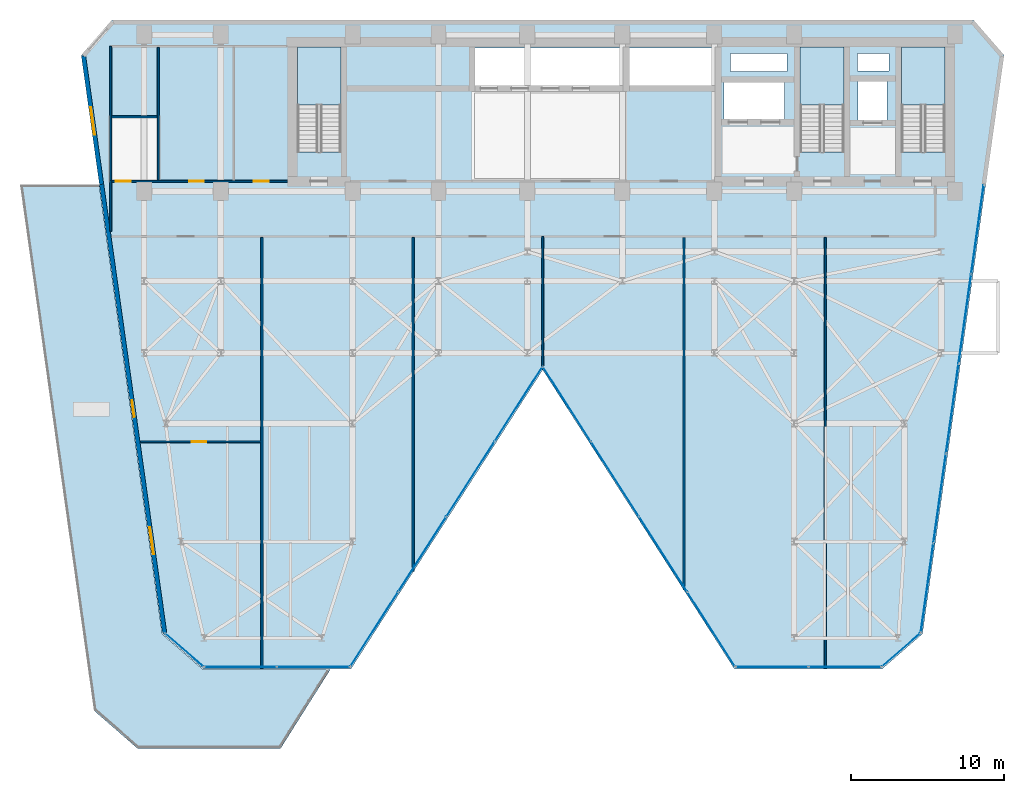
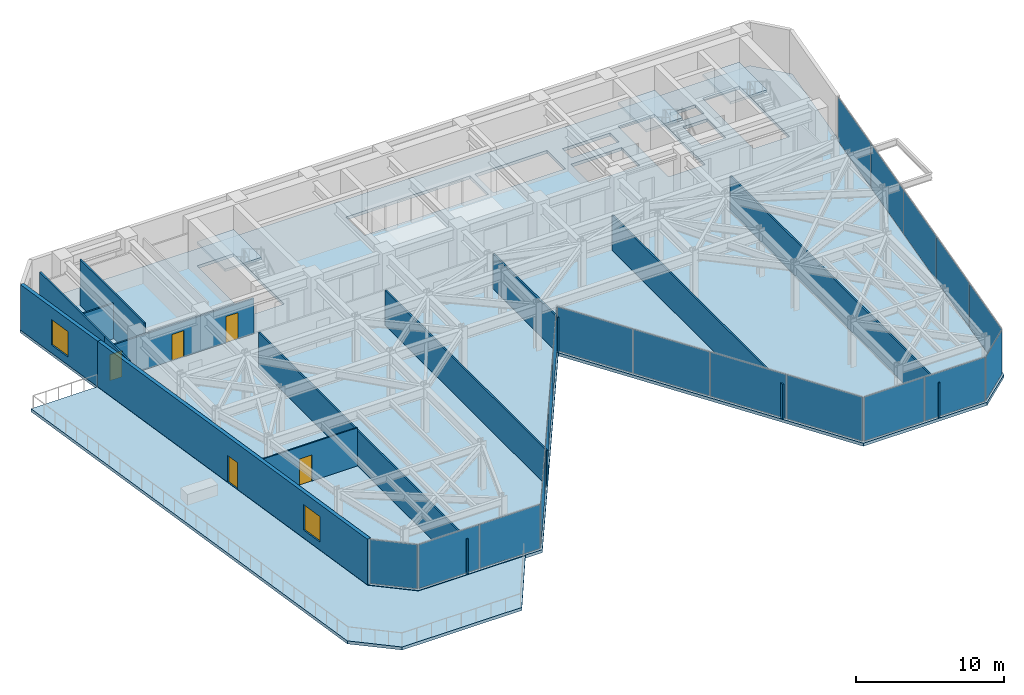
# One storey, part 19 of 24: 19 plates, 13 walls, 5 doors, 5 slabs, 2 windows, 7 openings, 10 elements without a shape of their own.
"""IFC4 building model written with IfcOpenShell, lengths in metres."""

from ifc_helpers import new_model, si_unit, direction, frame, frame_2d, origin, origin_2d, place, context, subcontext, project, spatial, polyline, rectangle, outline, extrude, material, layer, layer_set, type_object, element, fill, aggregate, save


model = new_model("IFC4")

# Units and contexts
model_context = context("Model", 3, precision=1e-05, world=origin(), true_north=direction((0.0, 1.0)))
body_context = subcontext(model_context, "Body", "Model", "MODEL_VIEW")
ifc_project = project(units=[si_unit("LENGTHUNIT", "METRE"), si_unit("AREAUNIT", "SQUARE_METRE"), si_unit("VOLUMEUNIT", "CUBIC_METRE"), si_unit("PLANEANGLEUNIT", "RADIAN"), si_unit("MASSUNIT", "GRAM", prefix="KILO")], contexts=[model_context])

# Site, building, storey
site_placement = place(None, origin())
site = spatial("IfcSite", under=ifc_project, at=site_placement, CompositionType="ELEMENT")
building_placement = place(site_placement, origin())
building = spatial("IfcBuilding", under=site, at=building_placement, Name="Kravanh Interchange Tower", CompositionType="ELEMENT")
storey_placement = place(building_placement, frame((0.0, 0.0, 96.0)))
storey = spatial("IfcBuildingStorey", under=building, at=storey_placement, Name="L22", CompositionType="ELEMENT", Elevation=96.0)

# Slab
ifc_material_1 = material(Name="Concrete C50/60", Category="concrete")
ifc_layer_1 = layer(ifc_material_1, 0.25)
ifc_layer_set_1 = layer_set([ifc_layer_1], Name="Composite Floor Slab Concrete C50/60 250mm")
slab_type_1 = type_object("IfcSlabType", Name="Composite Floor Slab Concrete C50/60 250mm", PredefinedType="FLOOR", material=ifc_layer_set_1)
slab_1_placement = place(storey_placement, frame((0.0, 0.0, -0.25)))
element("IfcSlab", 1, at=slab_1_placement, inside=storey, type_object=slab_type_1, Name="L22 Structural Floor Slab", PredefinedType="FLOOR", context=body_context, shape_type="SweptSolid", body=[
    extrude(outline(polyline([(14.82470703125, 8.4775390625), (17.44482421875, 6.199951171875), (27.10009765625, 6.199951171875), (39.60009765625, 25.699951171875), (52.10009765625, 6.199951171875), (61.755126953125, 6.199951171875), (64.375244140625, 8.4775390625), (69.679931640625, 46.222412109375), (67.699951171875, 48.5), (11.5, 48.5), (9.52001953125, 46.222412109375), (14.82470703125, 8.4775390625)]), holes=[polyline([(65.85009765625, 39.925048828125), (65.85009765625, 46.75), (63.0, 46.75), (63.0, 39.925048828125), (65.85009765625, 39.925048828125)]), polyline([(59.25, 39.925048828125), (59.25, 46.75), (56.39990234375, 46.75), (56.39990234375, 39.925048828125), (59.25, 39.925048828125)]), polyline([(26.449951171875, 39.925048828125), (26.449951171875, 46.75), (23.60009765625, 46.75), (23.60009765625, 39.925048828125), (26.449951171875, 39.925048828125)]), polyline([(35.179931640625, 44.219970703125), (44.840087890625, 44.219970703125), (44.840087890625, 46.699951171875), (35.179931640625, 46.699951171875), (35.179931640625, 44.219970703125)]), polyline([(45.239990234375, 44.219970703125), (50.840087890625, 44.219970703125), (50.840087890625, 46.699951171875), (45.239990234375, 46.699951171875), (45.239990234375, 44.219970703125)]), polyline([(51.419921875, 42.02001953125), (55.3798828125, 42.02001953125), (55.3798828125, 44.47998046875), (51.419921875, 44.47998046875), (51.419921875, 42.02001953125)]), polyline([(60.179931640625, 41.97998046875), (62.06005859375, 41.97998046875), (62.06005859375, 44.52001953125), (60.179931640625, 44.52001953125), (60.179931640625, 41.97998046875)]), polyline([(60.14990234375, 45.199951171875), (62.199951171875, 45.199951171875), (62.199951171875, 46.35009765625), (60.14990234375, 46.35009765625), (60.14990234375, 45.199951171875)]), polyline([(51.85009765625, 45.14990234375), (55.550048828125, 45.14990234375), (55.550048828125, 46.35009765625), (51.85009765625, 46.35009765625), (51.85009765625, 45.14990234375)])]), origin(), (0.0, 0.0, 1.0), 0.25),
])

# Stair, slab
ifc_material_2 = material(Name="Concrete C50/60", Category="concrete")
stair_type = type_object("IfcStairType", Name="Core Fire Exit Dogleg Stair Concrete C50/60", PredefinedType="HALF_TURN_STAIR", material=ifc_material_2)
stair_1_placement = place(storey_placement, origin())
stair_1 = element("IfcStair", 2, at=stair_1_placement, inside=storey, type_object=stair_type, Name="L22 Exit Stair ST1", PredefinedType="HALF_TURN_STAIR")
ifc_material_3 = material(Name="Concrete C50/60", Category="concrete")
ifc_layer_2 = layer(ifc_material_3, 0.199951171875)
ifc_layer_set_2 = layer_set([ifc_layer_2], Name="Concrete C50/60 Stair Half-Landing Slab 200mm")
slab_type_2 = type_object("IfcSlabType", Name="Concrete C50/60 Stair Half-Landing Slab 200mm", PredefinedType="LANDING", material=ifc_layer_set_2)
slab_2_placement = place(storey_placement, frame((0.0, 0.0, 1.800048828125)))
slab_2 = element("IfcSlab", 3, at=slab_2_placement, type_object=slab_type_2, Name="ST1 landing 1", PredefinedType="LANDING", context=body_context, shape_type="SweptSolid", body=[
    extrude(outline(polyline([(65.85009765625, 42.97998046875), (65.85009765625, 46.75), (63.0, 46.75), (63.0, 42.97998046875), (65.85009765625, 42.97998046875)])), origin(), (0.0, 0.0, 1.0), 0.199951171875),
])
aggregate(stair_1, [slab_2])

stair_2_placement = place(storey_placement, origin())
stair_2 = element("IfcStair", 4, at=stair_2_placement, inside=storey, type_object=stair_type, Name="L22 Exit Stair ST2", PredefinedType="HALF_TURN_STAIR")
slab_3_placement = place(storey_placement, frame((0.0, 0.0, 1.800048828125)))
slab_3 = element("IfcSlab", 5, at=slab_3_placement, type_object=slab_type_2, Name="ST2 landing 1", PredefinedType="LANDING", context=body_context, shape_type="SweptSolid", body=[
    extrude(outline(polyline([(59.25, 42.97998046875), (59.25, 46.75), (56.39990234375, 46.75), (56.39990234375, 42.97998046875), (59.25, 42.97998046875)])), origin(), (0.0, 0.0, 1.0), 0.199951171875),
])
aggregate(stair_2, [slab_3])

stair_3_placement = place(storey_placement, origin())
stair_3 = element("IfcStair", 6, at=stair_3_placement, inside=storey, type_object=stair_type, Name="L22 Exit Stair ST3", PredefinedType="HALF_TURN_STAIR")
slab_4_placement = place(storey_placement, frame((0.0, 0.0, 1.800048828125)))
slab_4 = element("IfcSlab", 7, at=slab_4_placement, type_object=slab_type_2, Name="ST3 landing 1", PredefinedType="LANDING", context=body_context, shape_type="SweptSolid", body=[
    extrude(outline(polyline([(26.449951171875, 42.97998046875), (26.449951171875, 46.75), (23.60009765625, 46.75), (23.60009765625, 42.97998046875), (26.449951171875, 42.97998046875)])), origin(), (0.0, 0.0, 1.0), 0.199951171875),
])
aggregate(stair_3, [slab_4])

# Slab
ifc_material_4 = material(Name="Concrete C50/60", Category="concrete")
ifc_layer_3 = layer(ifc_material_4, 0.25)
ifc_layer_set_3 = layer_set([ifc_layer_3], Name="Insulated Terrace Roof Slab Concrete C50/60 250mm")
slab_type_3 = type_object("IfcSlabType", Name="Insulated Terrace Roof Slab Concrete C50/60 250mm", PredefinedType="ROOF", material=ifc_layer_set_3)
slab_5_placement = place(storey_placement, frame((0.0, 0.0, -0.25)))
element("IfcSlab", 8, at=slab_5_placement, inside=storey, type_object=slab_type_3, Name="L22 Stepped Terrace Roof 1", PredefinedType="ROOF", context=body_context, shape_type="SweptSolid", body=[
    extrude(outline(polyline([(13.17578125, 1.0), (10.327880859375, 3.4755859375), (5.50390625, 37.800048828125), (10.663330078125, 37.800048828125), (14.787353515625, 8.457275390625), (17.429931640625, 6.159912109375), (25.7529296875, 6.159912109375), (22.5, 1.0), (13.17578125, 1.0)])), origin(), (0.0, 0.0, 1.0), 0.25),
])

# Curtain wall, plates
ifc_material_5 = material(Name="Anodised Bronze Aluminium", Category="aluminium")
ifc_layer_4 = layer(ifc_material_5, 0.179931640625)
ifc_layer_set_4 = layer_set([ifc_layer_4], Name="Unitised Curtain Wall System CW-Z2 Mid Office")
curtain_wall_type = type_object("IfcCurtainWallType", Name="Unitised Curtain Wall System CW-Z2 Mid Office", PredefinedType="NOTDEFINED", material=ifc_layer_set_4)
curtain_wall_1_placement = place(storey_placement, origin())
curtain_wall_1 = element("IfcCurtainWall", 9, at=curtain_wall_1_placement, inside=storey, type_object=curtain_wall_type, Name="L22 Unitised Curtain Wall CW-L22-01", PredefinedType="NOTDEFINED")
ifc_material_6 = material(Name="Low-E Laminated Architectural Glass", Category="glass")
ifc_layer_5 = layer(ifc_material_6, 0.02587890625)
ifc_layer_set_5 = layer_set([ifc_layer_5], Name="Solar-Control Double Glazing 26mm")
plate_type = type_object("IfcPlateType", Name="Solar-Control Double Glazing 26mm", PredefinedType="CURTAIN_PANEL", material=ifc_layer_set_5)
plate_1_placement = place(storey_placement, frame((67.961669921875, 34.859130859375, 0.06005859375), z_axis=(0.0, 0.0, 1.0), x_axis=(-0.13917285118, -0.990268103846, 0.0)))
plate_1 = element("IfcPlate", 10, at=plate_1_placement, type_object=plate_type, Name="CW-Z2 panel 1.1", PredefinedType="CURTAIN_PANEL", context=body_context, shape_type="SweptSolid", body=[
    extrude(rectangle(XDim=5.81982421875, YDim=0.02587890625, at=origin_2d()), origin(), (0.0, 0.0, 1.0), 3.6298828125),
])
plate_2_placement = place(storey_placement, frame((67.141357421875, 29.021728515625, 0.06005859375), z_axis=(0.0, 0.0, 1.0), x_axis=(-0.13917285118, -0.990268103846, 0.0)))
plate_2 = element("IfcPlate", 11, at=plate_2_placement, type_object=plate_type, Name="CW-Z2 panel 2.1", PredefinedType="CURTAIN_PANEL", context=body_context, shape_type="SweptSolid", body=[
    extrude(rectangle(XDim=5.849853515625, YDim=0.02587890625, at=origin_2d()), origin(), (0.0, 0.0, 1.0), 3.6298828125),
])
plate_3_placement = place(storey_placement, frame((66.31884765625, 23.16943359375, 0.06005859375), z_axis=(0.0, 0.0, 1.0), x_axis=(-0.13917285118, -0.990268103846, 0.0)))
plate_3 = element("IfcPlate", 12, at=plate_3_placement, type_object=plate_type, Name="CW-Z2 panel 3.1", PredefinedType="CURTAIN_PANEL", context=body_context, shape_type="SweptSolid", body=[
    extrude(rectangle(XDim=5.849853515625, YDim=0.02587890625, at=origin_2d()), origin(), (0.0, 0.0, 1.0), 3.6298828125),
])
plate_4_placement = place(storey_placement, frame((65.496337890625, 17.317138671875, 0.06005859375), z_axis=(0.0, 0.0, 1.0), x_axis=(-0.13917285118, -0.990268103846, 0.0)))
plate_4 = element("IfcPlate", 13, at=plate_4_placement, type_object=plate_type, Name="CW-Z2 panel 4.1", PredefinedType="CURTAIN_PANEL", context=body_context, shape_type="SweptSolid", body=[
    extrude(rectangle(XDim=5.849853515625, YDim=0.02587890625, at=origin_2d()), origin(), (0.0, 0.0, 1.0), 3.6298828125),
])
plate_5_placement = place(storey_placement, frame((64.676025390625, 11.479736328125, 0.06005859375), z_axis=(0.0, 0.0, 1.0), x_axis=(-0.13917285118, -0.990268103846, 0.0)))
plate_5 = element("IfcPlate", 14, at=plate_5_placement, type_object=plate_type, Name="CW-Z2 panel 5.1", PredefinedType="CURTAIN_PANEL", context=body_context, shape_type="SweptSolid", body=[
    extrude(rectangle(XDim=5.81982421875, YDim=0.02587890625, at=origin_2d()), origin(), (0.0, 0.0, 1.0), 3.6298828125),
])
aggregate(curtain_wall_1, [plate_1, plate_2, plate_3, plate_4, plate_5])

# Curtain wall, plate
curtain_wall_2_placement = place(storey_placement, origin())
curtain_wall_2 = element("IfcCurtainWall", 15, at=curtain_wall_2_placement, inside=storey, type_object=curtain_wall_type, Name="L22 Unitised Curtain Wall CW-L22-02", PredefinedType="NOTDEFINED")
plate_6_placement = place(storey_placement, frame((62.986328125, 7.429443359375, 0.06005859375), z_axis=(0.0, 0.0, 1.0), x_axis=(-0.754719458103, -0.656047665617, 0.0)))
plate_6 = element("IfcPlate", 16, at=plate_6_placement, type_object=plate_type, Name="CW-Z2 panel 1.1", PredefinedType="CURTAIN_PANEL", context=body_context, shape_type="SweptSolid", body=[
    extrude(rectangle(XDim=3.261962890625, YDim=0.02587890625, at=origin_2d()), origin(), (0.0, 0.0, 1.0), 3.6298828125),
])
aggregate(curtain_wall_2, [plate_6])

# Curtain wall, plates
curtain_wall_3_placement = place(storey_placement, origin())
curtain_wall_3 = element("IfcCurtainWall", 17, at=curtain_wall_3_placement, inside=storey, type_object=curtain_wall_type, Name="L22 Unitised Curtain Wall CW-L22-03", PredefinedType="NOTDEFINED")
plate_7_placement = place(storey_placement, frame((59.30908203125, 6.320068359375, 0.06005859375), z_axis=(0.0, 0.0, 1.0), x_axis=(-1.0, 0.0, 0.0)))
plate_7 = element("IfcPlate", 18, at=plate_7_placement, type_object=plate_type, Name="CW-Z2 panel 1.1", PredefinedType="CURTAIN_PANEL", context=body_context, shape_type="SweptSolid", body=[
    extrude(rectangle(XDim=4.682373046875, YDim=0.02587890625, at=origin_2d()), origin(), (0.0, 0.0, 1.0), 3.6298828125),
])
plate_8_placement = place(storey_placement, frame((54.566650390625, 6.320068359375, 0.06005859375), z_axis=(0.0, 0.0, 1.0), x_axis=(-1.0, 0.0, 0.0)))
plate_8 = element("IfcPlate", 19, at=plate_8_placement, type_object=plate_type, Name="CW-Z2 panel 2.1", PredefinedType="CURTAIN_PANEL", context=body_context, shape_type="SweptSolid", body=[
    extrude(rectangle(XDim=4.682373046875, YDim=0.02587890625, at=origin_2d()), origin(), (0.0, 0.0, 1.0), 3.6298828125),
])
aggregate(curtain_wall_3, [plate_7, plate_8])

curtain_wall_4_placement = place(storey_placement, origin())
curtain_wall_4 = element("IfcCurtainWall", 20, at=curtain_wall_4_placement, inside=storey, type_object=curtain_wall_type, Name="L22 Unitised Curtain Wall CW-L22-04", PredefinedType="NOTDEFINED")
plate_9_placement = place(storey_placement, frame((50.5869140625, 8.782958984375, 0.06005859375), z_axis=(0.0, 0.0, 1.0), x_axis=(-0.539664865919, 0.841879939476, 0.0)))
plate_9 = element("IfcPlate", 21, at=plate_9_placement, type_object=plate_type, Name="CW-Z2 panel 1.1", PredefinedType="CURTAIN_PANEL", context=body_context, shape_type="SweptSolid", body=[
    extrude(rectangle(XDim=5.73095703125, YDim=0.02587890625, at=origin_2d()), origin(), (0.0, 0.0, 1.0), 3.6298828125),
])
plate_10_placement = place(storey_placement, frame((47.45361328125, 13.6708984375, 0.06005859375), z_axis=(0.0, 0.0, 1.0), x_axis=(-0.539664865919, 0.841879939476, 0.0)))
plate_10 = element("IfcPlate", 22, at=plate_10_placement, type_object=plate_type, Name="CW-Z2 panel 2.1", PredefinedType="CURTAIN_PANEL", context=body_context, shape_type="SweptSolid", body=[
    extrude(rectangle(XDim=5.760986328125, YDim=0.02587890625, at=origin_2d()), origin(), (0.0, 0.0, 1.0), 3.6298828125),
])
plate_11_placement = place(storey_placement, frame((44.31201171875, 18.571533203125, 0.06005859375), z_axis=(0.0, 0.0, 1.0), x_axis=(-0.539664865919, 0.841879939476, 0.0)))
plate_11 = element("IfcPlate", 23, at=plate_11_placement, type_object=plate_type, Name="CW-Z2 panel 3.1", PredefinedType="CURTAIN_PANEL", context=body_context, shape_type="SweptSolid", body=[
    extrude(rectangle(XDim=5.760986328125, YDim=0.02587890625, at=origin_2d()), origin(), (0.0, 0.0, 1.0), 3.6298828125),
])
plate_12_placement = place(storey_placement, frame((41.1787109375, 23.45947265625, 0.06005859375), z_axis=(0.0, 0.0, 1.0), x_axis=(-0.539664865919, 0.841879939476, 0.0)))
plate_12 = element("IfcPlate", 24, at=plate_12_placement, type_object=plate_type, Name="CW-Z2 panel 4.1", PredefinedType="CURTAIN_PANEL", context=body_context, shape_type="SweptSolid", body=[
    extrude(rectangle(XDim=5.73095703125, YDim=0.02587890625, at=origin_2d()), origin(), (0.0, 0.0, 1.0), 3.6298828125),
])
aggregate(curtain_wall_4, [plate_9, plate_10, plate_11, plate_12])

curtain_wall_5_placement = place(storey_placement, origin())
curtain_wall_5 = element("IfcCurtainWall", 25, at=curtain_wall_5_placement, inside=storey, type_object=curtain_wall_type, Name="L22 Unitised Curtain Wall CW-L22-05", PredefinedType="NOTDEFINED")
plate_13_placement = place(storey_placement, frame((38.021240234375, 23.45947265625, 0.06005859375), z_axis=(0.0, 0.0, 1.0), x_axis=(-0.539664865919, -0.841879939476, 0.0)))
plate_13 = element("IfcPlate", 26, at=plate_13_placement, type_object=plate_type, Name="CW-Z2 panel 1.1", PredefinedType="CURTAIN_PANEL", context=body_context, shape_type="SweptSolid", body=[
    extrude(rectangle(XDim=5.73095703125, YDim=0.02587890625, at=origin_2d()), origin(), (0.0, 0.0, 1.0), 3.6298828125),
])
plate_14_placement = place(storey_placement, frame((34.887939453125, 18.571533203125, 0.06005859375), z_axis=(0.0, 0.0, 1.0), x_axis=(-0.539664865919, -0.841879939476, 0.0)))
plate_14 = element("IfcPlate", 27, at=plate_14_placement, type_object=plate_type, Name="CW-Z2 panel 2.1", PredefinedType="CURTAIN_PANEL", context=body_context, shape_type="SweptSolid", body=[
    extrude(rectangle(XDim=5.760986328125, YDim=0.02587890625, at=origin_2d()), origin(), (0.0, 0.0, 1.0), 3.6298828125),
])
plate_15_placement = place(storey_placement, frame((31.74658203125, 13.6708984375, 0.06005859375), z_axis=(0.0, 0.0, 1.0), x_axis=(-0.539664865919, -0.841879939476, 0.0)))
plate_15 = element("IfcPlate", 28, at=plate_15_placement, type_object=plate_type, Name="CW-Z2 panel 3.1", PredefinedType="CURTAIN_PANEL", context=body_context, shape_type="SweptSolid", body=[
    extrude(rectangle(XDim=5.760986328125, YDim=0.02587890625, at=origin_2d()), origin(), (0.0, 0.0, 1.0), 3.6298828125),
])
plate_16_placement = place(storey_placement, frame((28.61328125, 8.782958984375, 0.06005859375), z_axis=(0.0, 0.0, 1.0), x_axis=(-0.539664865919, -0.841879939476, 0.0)))
plate_16 = element("IfcPlate", 29, at=plate_16_placement, type_object=plate_type, Name="CW-Z2 panel 4.1", PredefinedType="CURTAIN_PANEL", context=body_context, shape_type="SweptSolid", body=[
    extrude(rectangle(XDim=5.73095703125, YDim=0.02587890625, at=origin_2d()), origin(), (0.0, 0.0, 1.0), 3.6298828125),
])
aggregate(curtain_wall_5, [plate_13, plate_14, plate_15, plate_16])

curtain_wall_6_placement = place(storey_placement, origin())
curtain_wall_6 = element("IfcCurtainWall", 30, at=curtain_wall_6_placement, inside=storey, type_object=curtain_wall_type, Name="L22 Unitised Curtain Wall CW-L22-06", PredefinedType="NOTDEFINED")
plate_17_placement = place(storey_placement, frame((24.63330078125, 6.320068359375, 0.06005859375), z_axis=(0.0, 0.0, 1.0), x_axis=(-1.0, 0.0, 0.0)))
plate_17 = element("IfcPlate", 31, at=plate_17_placement, type_object=plate_type, Name="CW-Z2 panel 1.1", PredefinedType="CURTAIN_PANEL", context=body_context, shape_type="SweptSolid", body=[
    extrude(rectangle(XDim=4.682373046875, YDim=0.02587890625, at=origin_2d()), origin(), (0.0, 0.0, 1.0), 3.6298828125),
])
plate_18_placement = place(storey_placement, frame((19.890869140625, 6.320068359375, 0.06005859375), z_axis=(0.0, 0.0, 1.0), x_axis=(-1.0, 0.0, 0.0)))
plate_18 = element("IfcPlate", 32, at=plate_18_placement, type_object=plate_type, Name="CW-Z2 panel 2.1", PredefinedType="CURTAIN_PANEL", context=body_context, shape_type="SweptSolid", body=[
    extrude(rectangle(XDim=4.682373046875, YDim=0.02587890625, at=origin_2d()), origin(), (0.0, 0.0, 1.0), 3.6298828125),
])
aggregate(curtain_wall_6, [plate_17, plate_18])

# Curtain wall, plate
curtain_wall_7_placement = place(storey_placement, origin())
curtain_wall_7 = element("IfcCurtainWall", 33, at=curtain_wall_7_placement, inside=storey, type_object=curtain_wall_type, Name="L22 Unitised Curtain Wall CW-L22-07", PredefinedType="NOTDEFINED")
plate_19_placement = place(storey_placement, frame((16.213623046875, 7.429443359375, 0.06005859375), z_axis=(0.0, 0.0, 1.0), x_axis=(-0.754719458103, 0.656047665617, 0.0)))
plate_19 = element("IfcPlate", 34, at=plate_19_placement, type_object=plate_type, Name="CW-Z2 panel 1.1", PredefinedType="CURTAIN_PANEL", context=body_context, shape_type="SweptSolid", body=[
    extrude(rectangle(XDim=3.261962890625, YDim=0.02587890625, at=origin_2d()), origin(), (0.0, 0.0, 1.0), 3.6298828125),
])
aggregate(curtain_wall_7, [plate_19])

# Wall, openings, doors
ifc_material_7 = material(Name="Double Acoustic Gypsum Board and Mineral Wool")
ifc_layer_6 = layer(ifc_material_7, 0.1201171875)
ifc_layer_set_6 = layer_set([ifc_layer_6], Name="Acoustic Office Drywall Partition 120mm")
wall_type_1 = type_object("IfcWallType", Name="Acoustic Office Drywall Partition 120mm", PredefinedType="PARTITIONING", material=ifc_layer_set_6)
wall_1_placement = place(storey_placement, frame((11.419921875, 38.0, 0.0), z_axis=(0.0, 0.0, 1.0), x_axis=(1.0, 0.0, 0.0)))
wall_1 = element("IfcWall", 35, at=wall_1_placement, inside=storey, type_object=wall_type_1, Name="L22 Restroom Corridor Wall 4", PredefinedType="PARTITIONING", context=body_context, shape_type="SweptSolid", body=[
    extrude(rectangle(XDim=11.530029296875, YDim=0.1201171875, at=frame_2d((5.76513671875, 0.0))), origin(), (0.0, 0.0, 1.0), 2.89404296875),
])
opening_1_placement = place(wall_1_placement, frame((0.3427734375, 0.0, 0.0)))
opening_1 = element("IfcOpeningElement", 36, at=opening_1_placement, cuts=wall_1, Name="Opening D-95", PredefinedType="OPENING", context=body_context, shape_type="SweptSolid", body=[
    extrude(rectangle(XDim=0.949951171875, YDim=2.14990234375, at=frame_2d((0.47509765625, 1.074951171875))), frame((0.0, 0.070068359375, 0.0), z_axis=(0.0, -1.0, 0.0), x_axis=(1.0, 0.0, 0.0)), (0.0, 0.0, 1.0), 0.14013671875),
])
opening_2_placement = place(wall_1_placement, frame((5.130126953125, 0.0, 0.0)))
opening_2 = element("IfcOpeningElement", 37, at=opening_2_placement, cuts=wall_1, Name="Opening D-95", PredefinedType="OPENING", context=body_context, shape_type="SweptSolid", body=[
    extrude(rectangle(XDim=0.949951171875, YDim=2.14990234375, at=frame_2d((0.47509765625, 1.074951171875))), frame((0.0, 0.070068359375, 0.0), z_axis=(0.0, -1.0, 0.0), x_axis=(1.0, 0.0, 0.0)), (0.0, 0.0, 1.0), 0.14013671875),
])
opening_3_placement = place(wall_1_placement, frame((9.344970703125, 0.0, 0.0)))
opening_3 = element("IfcOpeningElement", 38, at=opening_3_placement, cuts=wall_1, Name="Opening D-95", PredefinedType="OPENING", context=body_context, shape_type="SweptSolid", body=[
    extrude(rectangle(XDim=0.949951171875, YDim=2.14990234375, at=frame_2d((0.47509765625, 1.074951171875))), frame((0.0, 0.070068359375, 0.0), z_axis=(0.0, -1.0, 0.0), x_axis=(1.0, 0.0, 0.0)), (0.0, 0.0, 1.0), 0.14013671875),
])
ifc_material_8 = material(Name="Laminate Solid-Core Timber", Category="wood")
door_type_1 = type_object("IfcDoorType", Name="Accessible Restroom Door 950x2150", OperationType="NOTDEFINED", PredefinedType="DOOR", material=ifc_material_8)
door_1_placement = place(opening_1_placement, origin())
door_1 = element("IfcDoor", 39, at=door_1_placement, inside=storey, type_object=door_type_1, Name="L22 Accessible WC Door", OperationType="SINGLE_SWING_RIGHT", OverallHeight=2.14990234375, OverallWidth=0.949951171875, PredefinedType="DOOR", context=body_context, shape_type="SweptSolid", body=[
    extrude(rectangle(XDim=0.949951171875, YDim=2.14990234375, at=frame_2d((0.47509765625, 1.074951171875))), frame((0.0, 0.02490234375, 0.0), z_axis=(0.0, -1.0, 0.0), x_axis=(1.0, 0.0, 0.0)), (0.0, 0.0, 1.0), 0.050048828125),
])
fill(opening_1, door_1)
door_2_placement = place(opening_2_placement, origin())
door_2 = element("IfcDoor", 40, at=door_2_placement, inside=storey, type_object=door_type_1, Name="L22 Female WC Door", OperationType="SINGLE_SWING_LEFT", OverallHeight=2.14990234375, OverallWidth=0.949951171875, PredefinedType="DOOR", context=body_context, shape_type="SweptSolid", body=[
    extrude(rectangle(XDim=0.949951171875, YDim=2.14990234375, at=frame_2d((0.47509765625, 1.074951171875))), frame((0.0, 0.02490234375, 0.0), z_axis=(0.0, -1.0, 0.0), x_axis=(1.0, 0.0, 0.0)), (0.0, 0.0, 1.0), 0.050048828125),
])
fill(opening_2, door_2)
door_3_placement = place(opening_3_placement, origin())
door_3 = element("IfcDoor", 41, at=door_3_placement, inside=storey, type_object=door_type_1, Name="L22 Male WC Door", OperationType="SINGLE_SWING_RIGHT", OverallHeight=2.14990234375, OverallWidth=0.949951171875, PredefinedType="DOOR", context=body_context, shape_type="SweptSolid", body=[
    extrude(rectangle(XDim=0.949951171875, YDim=2.14990234375, at=frame_2d((0.47509765625, 1.074951171875))), frame((0.0, 0.02490234375, 0.0), z_axis=(0.0, -1.0, 0.0), x_axis=(1.0, 0.0, 0.0)), (0.0, 0.0, 1.0), 0.050048828125),
])
fill(opening_3, door_3)

# Walls
wall_2_placement = place(storey_placement, frame((11.419921875, 38.0, 0.0), z_axis=(0.0, 0.0, 1.0), x_axis=(0.0, 1.0, 0.0)))
element("IfcWall", 42, at=wall_2_placement, inside=storey, type_object=wall_type_1, Name="L22 Restroom West Enclosure 5", PredefinedType="PARTITIONING", context=body_context, shape_type="SweptSolid", body=[
    extrude(rectangle(XDim=8.800048828125, YDim=0.1201171875, at=frame_2d((4.39990234375, 0.0))), origin(), (0.0, 0.0, 1.0), 3.75),
])
wall_3_placement = place(storey_placement, frame((14.52001953125, 38.068115234375, 0.0), z_axis=(0.0, 0.0, 1.0), x_axis=(0.0, 1.0, 0.0)))
element("IfcWall", 43, at=wall_3_placement, inside=storey, type_object=wall_type_1, Name="L22 Interior Partition 7", PredefinedType="PARTITIONING", context=body_context, shape_type="SweptSolid", body=[
    extrude(rectangle(XDim=8.663818359375, YDim=0.1201171875, at=frame_2d((4.33203125, 0.0))), origin(), (0.0, 0.0, 1.0), 3.75),
])
wall_4_placement = place(storey_placement, frame((11.488037109375, 42.199951171875, 0.0), z_axis=(0.0, 0.0, 1.0), x_axis=(1.0, 0.0, 0.0)))
element("IfcWall", 44, at=wall_4_placement, inside=storey, type_object=wall_type_1, Name="L22 Interior Partition 9", PredefinedType="PARTITIONING", context=body_context, shape_type="SweptSolid", body=[
    extrude(rectangle(XDim=2.9638671875, YDim=0.1201171875, at=frame_2d((1.48193359375, 0.0))), origin(), (0.0, 0.0, 1.0), 2.89404296875),
])
wall_5_placement = place(storey_placement, frame((11.419921875, 34.751953125, 0.0), z_axis=(0.0, 0.0, 1.0), x_axis=(0.0, 1.0, 0.0)))
element("IfcWall", 45, at=wall_5_placement, inside=storey, type_object=wall_type_1, Name="L22 Interior Partition 12", PredefinedType="PARTITIONING", context=body_context, shape_type="SweptSolid", body=[
    extrude(rectangle(XDim=3.298095703125, YDim=0.1201171875, at=frame_2d((1.64892578125, 0.0))), origin(), (0.0, 0.0, 1.0), 3.75),
])
wall_6_placement = place(storey_placement, frame((39.60009765625, 25.727783203125, 0.0), z_axis=(0.0, 0.0, 1.0), x_axis=(0.0, 1.0, 0.0)))
element("IfcWall", 46, at=wall_6_placement, inside=storey, type_object=wall_type_1, Name="L22 Interior Partition 14", PredefinedType="PARTITIONING", context=body_context, shape_type="SweptSolid", body=[
    extrude(rectangle(XDim=8.672119140625, YDim=0.1201171875, at=frame_2d((4.3359375, 0.0))), origin(), (0.0, 0.0, 1.0), 2.89404296875),
])
wall_7_placement = place(storey_placement, frame((21.280029296875, 6.215087890625, 0.0), z_axis=(0.0, 0.0, 1.0), x_axis=(0.0, 1.0, 0.0)))
element("IfcWall", 47, at=wall_7_placement, inside=storey, type_object=wall_type_1, Name="L22 Interior Partition 16", PredefinedType="PARTITIONING", context=body_context, shape_type="SweptSolid", body=[
    extrude(rectangle(XDim=28.116943359375, YDim=0.1201171875, at=frame_2d((14.05859375, 0.0))), origin(), (0.0, 0.0, 1.0), 2.89404296875),
])
wall_8_placement = place(storey_placement, frame((31.14990234375, 12.5458984375, 0.0), z_axis=(0.0, 0.0, 1.0), x_axis=(0.0, 1.0, 0.0)))
element("IfcWall", 48, at=wall_8_placement, inside=storey, type_object=wall_type_1, Name="L22 Interior Partition 17", PredefinedType="PARTITIONING", context=body_context, shape_type="SweptSolid", body=[
    extrude(rectangle(XDim=21.7861328125, YDim=0.1201171875, at=frame_2d((10.89306640625, 0.0))), origin(), (0.0, 0.0, 1.0), 2.89404296875),
])
wall_9_placement = place(storey_placement, frame((48.820068359375, 11.344482421875, 0.0), z_axis=(0.0, 0.0, 1.0), x_axis=(0.0, 1.0, 0.0)))
element("IfcWall", 49, at=wall_9_placement, inside=storey, type_object=wall_type_1, Name="L22 Interior Partition 18", PredefinedType="PARTITIONING", context=body_context, shape_type="SweptSolid", body=[
    extrude(rectangle(XDim=22.987548828125, YDim=0.1201171875, at=frame_2d((11.49365234375, 0.0))), origin(), (0.0, 0.0, 1.0), 2.89404296875),
])
wall_10_placement = place(storey_placement, frame((58.030029296875, 6.215087890625, 0.0), z_axis=(0.0, 0.0, 1.0), x_axis=(0.0, 1.0, 0.0)))
element("IfcWall", 50, at=wall_10_placement, inside=storey, type_object=wall_type_1, Name="L22 Interior Partition 19", PredefinedType="PARTITIONING", context=body_context, shape_type="SweptSolid", body=[
    extrude(rectangle(XDim=28.116943359375, YDim=0.1201171875, at=frame_2d((14.05859375, 0.0))), origin(), (0.0, 0.0, 1.0), 2.89404296875),
])

# Wall, opening, door
ifc_material_9 = material(Name="Moisture-Resistant Gypsum Board and Mineral Wool")
ifc_layer_7 = layer(ifc_material_9, 0.10009765625)
ifc_layer_set_7 = layer_set([ifc_layer_7], Name="En-Suite Moisture-Resistant Partition 100mm")
wall_type_2 = type_object("IfcWallType", Name="En-Suite Moisture-Resistant Partition 100mm", PredefinedType="PARTITIONING", material=ifc_layer_set_7)
wall_11_placement = place(storey_placement, frame((13.352783203125, 21.0, 0.0), z_axis=(0.0, 0.0, 1.0), x_axis=(1.0, 0.0, 0.0)))
wall_11 = element("IfcWall", 51, at=wall_11_placement, inside=storey, type_object=wall_type_2, Name="L22 Interior Partition 15", PredefinedType="PARTITIONING", context=body_context, shape_type="SweptSolid", body=[
    extrude(rectangle(XDim=7.859130859375, YDim=0.10009765625, at=frame_2d((3.9296875, 0.0))), origin(), (0.0, 0.0, 1.0), 3.14208984375),
])
opening_4_placement = place(wall_11_placement, frame((3.352294921875, 0.0, 0.0)))
opening_4 = element("IfcOpeningElement", 52, at=opening_4_placement, cuts=wall_11, Name="Opening D-95", PredefinedType="OPENING", context=body_context, shape_type="SweptSolid", body=[
    extrude(rectangle(XDim=0.949951171875, YDim=2.14990234375, at=frame_2d((0.47509765625, 1.074951171875))), frame((0.0, 0.06005859375, 0.0), z_axis=(0.0, -1.0, 0.0), x_axis=(1.0, 0.0, 0.0)), (0.0, 0.0, 1.0), 0.1201171875),
])
door_4_placement = place(opening_4_placement, origin())
door_4 = element("IfcDoor", 53, at=door_4_placement, inside=storey, type_object=door_type_1, Name="L22 SW Corner Office Inner Door", OperationType="SINGLE_SWING_RIGHT", OverallHeight=2.14990234375, OverallWidth=0.949951171875, PredefinedType="DOOR", context=body_context, shape_type="SweptSolid", body=[
    extrude(rectangle(XDim=0.949951171875, YDim=2.14990234375, at=frame_2d((0.47509765625, 1.074951171875))), frame((0.0, 0.02490234375, 0.0), z_axis=(0.0, -1.0, 0.0), x_axis=(1.0, 0.0, 0.0)), (0.0, 0.0, 1.0), 0.050048828125),
])
fill(opening_4, door_4)

# Wall, openings, door, window
ifc_material_10 = material(Name="Insulated Precast Concrete C40/50 with Bronze Cladding", Category="concrete")
ifc_layer_8 = layer(ifc_material_10, 0.280029296875)
ifc_layer_set_8 = layer_set([ifc_layer_8], Name="Exterior Insulated Concrete C40/50 Bronze Spandrel Wall 280mm")
wall_type_3 = type_object("IfcWallType", Name="Exterior Insulated Concrete C40/50 Bronze Spandrel Wall 280mm", PredefinedType="STANDARD", material=ifc_layer_set_8)
wall_12_placement = place(storey_placement, frame((14.9375, 8.538818359375, 0.0), z_axis=(0.0, 0.0, 1.0), x_axis=(-0.139178114609, 0.990267364106, 0.0)))
wall_12 = element("IfcWall", 54, at=wall_12_placement, inside=storey, type_object=wall_type_3, Name="L22 Exterior Wall 1", PredefinedType="STANDARD", context=body_context, shape_type="SweptSolid", body=[
    extrude(rectangle(XDim=29.548828125, YDim=0.280029296875, at=frame_2d((14.7744140625, 0.0))), origin(), (0.0, 0.0, 1.0), 3.75),
])
opening_5_placement = place(wall_12_placement, frame((14.224365234375, 0.0, 0.0)))
opening_5 = element("IfcOpeningElement", 55, at=opening_5_placement, cuts=wall_12, Name="Opening ED-TERR110", PredefinedType="OPENING", context=body_context, shape_type="SweptSolid", body=[
    extrude(rectangle(XDim=1.10009765625, YDim=2.199951171875, at=frame_2d((0.550048828125, 1.10009765625))), frame((0.0, 0.14990234375, 0.0), z_axis=(0.0, -1.0, 0.0), x_axis=(1.0, 0.0, 0.0)), (0.0, 0.0, 1.0), 0.300048828125),
])
opening_6_placement = place(wall_12_placement, frame((5.171630859375, 0.0, 0.64990234375)))
opening_6 = element("IfcOpeningElement", 56, at=opening_6_placement, cuts=wall_12, Name="Opening WN-180X210", PredefinedType="OPENING", context=body_context, shape_type="SweptSolid", body=[
    extrude(rectangle(XDim=1.800048828125, YDim=2.10009765625, at=frame_2d((0.89990234375, 1.050048828125))), frame((0.0, 0.14990234375, 0.0), z_axis=(0.0, -1.0, 0.0), x_axis=(1.0, 0.0, 0.0)), (0.0, 0.0, 1.0), 0.300048828125),
])
ifc_material_11 = material(Name="Thermally Broken Bronze Aluminium and Laminated Glass", Category="aluminium")
door_type_2 = type_object("IfcDoorType", Name="Terrace Access Glazed Door 1100x2200", OperationType="NOTDEFINED", PredefinedType="DOOR", material=ifc_material_11)
door_5_placement = place(opening_5_placement, origin())
door_5 = element("IfcDoor", 57, at=door_5_placement, inside=storey, type_object=door_type_2, Name="L22 Stepped Sky Terrace Access Door", OperationType="SINGLE_SWING_RIGHT", OverallHeight=2.199951171875, OverallWidth=1.10009765625, PredefinedType="DOOR", context=body_context, shape_type="SweptSolid", body=[
    extrude(rectangle(XDim=1.10009765625, YDim=2.199951171875, at=frame_2d((0.550048828125, 1.10009765625))), frame((0.0, 0.02490234375, 0.0), z_axis=(0.0, -1.0, 0.0), x_axis=(1.0, 0.0, 0.0)), (0.0, 0.0, 1.0), 0.050048828125),
])
fill(opening_5, door_5)
ifc_material_12 = material(Name="Thermally Broken Bronze Aluminium and Low-E Glass", Category="aluminium")
window_type = type_object("IfcWindowType", Name="Tower Pier Window 1800x2100", PartitioningType="SINGLE_PANEL", PredefinedType="WINDOW", material=ifc_material_12)
window_1_placement = place(opening_6_placement, origin())
window_1 = element("IfcWindow", 58, at=window_1_placement, inside=storey, type_object=window_type, Name="L22 Terrace Facade Window", OverallHeight=2.10009765625, OverallWidth=1.800048828125, PartitioningType="SINGLE_PANEL", PredefinedType="WINDOW", context=body_context, shape_type="SweptSolid", body=[
    extrude(rectangle(XDim=1.800048828125, YDim=2.10009765625, at=frame_2d((0.89990234375, 1.050048828125))), frame((0.0, 0.030029296875, 0.0), z_axis=(0.0, -1.0, 0.0), x_axis=(1.0, 0.0, 0.0)), (0.0, 0.0, 1.0), 0.06005859375),
])
fill(opening_6, window_1)

# Wall, opening, window
wall_13_placement = place(storey_placement, frame((10.824951171875, 37.800048828125, 0.0), z_axis=(0.0, 0.0, 1.0), x_axis=(-0.139180610108, 0.990267013371, 0.0)))
wall_13 = element("IfcWall", 59, at=wall_13_placement, inside=storey, type_object=wall_type_3, Name="L22 Exterior Wall 2", PredefinedType="STANDARD", context=body_context, shape_type="SweptSolid", body=[
    extrude(rectangle(XDim=8.46728515625, YDim=0.280029296875, at=frame_2d((4.233642578125, 0.0))), origin(), (0.0, 0.0, 1.0), 3.75),
])
opening_7_placement = place(wall_13_placement, frame((3.273193359375, 0.0, 0.64990234375)))
opening_7 = element("IfcOpeningElement", 60, at=opening_7_placement, cuts=wall_13, Name="Opening WN-180X210", PredefinedType="OPENING", context=body_context, shape_type="SweptSolid", body=[
    extrude(rectangle(XDim=1.800048828125, YDim=2.10009765625, at=frame_2d((0.89990234375, 1.050048828125))), frame((0.0, 0.14990234375, 0.0), z_axis=(0.0, -1.0, 0.0), x_axis=(1.0, 0.0, 0.0)), (0.0, 0.0, 1.0), 0.300048828125),
])
window_2_placement = place(opening_7_placement, origin())
window_2 = element("IfcWindow", 61, at=window_2_placement, inside=storey, type_object=window_type, Name="L22 Corner Window 2", OverallHeight=2.10009765625, OverallWidth=1.800048828125, PartitioningType="SINGLE_PANEL", PredefinedType="WINDOW", context=body_context, shape_type="SweptSolid", body=[
    extrude(rectangle(XDim=1.800048828125, YDim=2.10009765625, at=frame_2d((0.89990234375, 1.050048828125))), frame((0.0, 0.030029296875, 0.0), z_axis=(0.0, -1.0, 0.0), x_axis=(1.0, 0.0, 0.0)), (0.0, 0.0, 1.0), 0.06005859375),
])
fill(opening_7, window_2)

save(model, "model.ifc")
